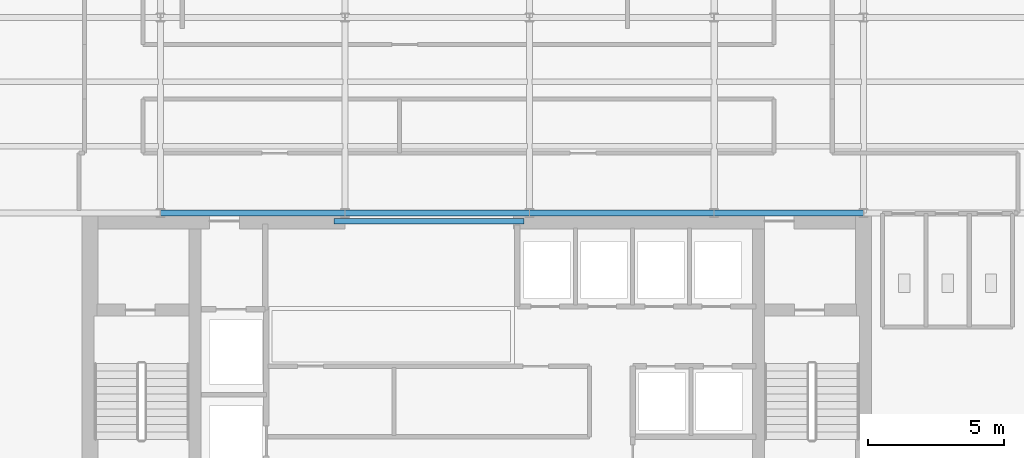
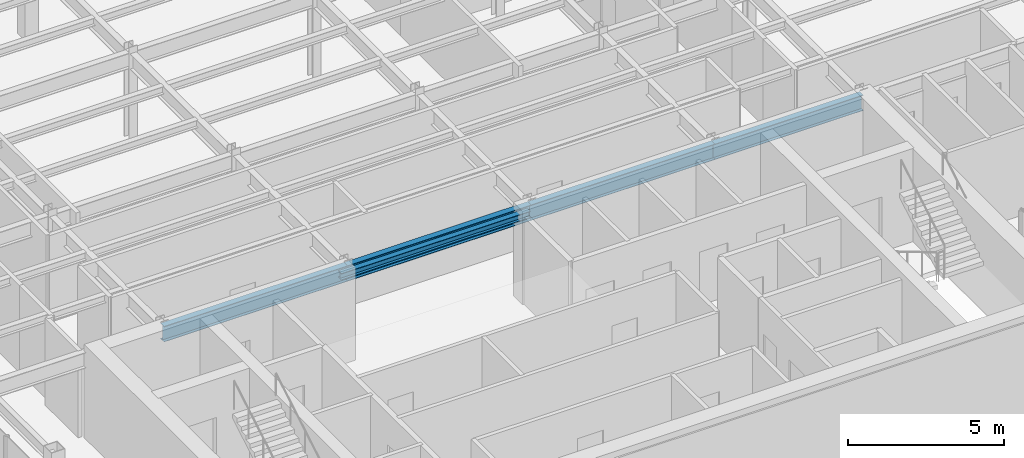
# One storey, part 4 of 22: 5 beams.
"""IFC4 building model written with IfcOpenShell, lengths in metres."""

from ifc_helpers import new_model, si_unit, derived_unit, direction, frame, origin, origin_2d, place, context, subcontext, project, spatial, i_section, extrude, source, transform, mapped, material, material_profile, profile_set, type_object, element, save


model = new_model("IFC4")

# Units and contexts
model_context = context("Model", 3, precision=1e-05, world=origin(), true_north=direction((0.0, 1.0)))
body_context = subcontext(model_context, "Body", "Model", "MODEL_VIEW")
ifc_project = project(units=[si_unit("LENGTHUNIT", "METRE"), si_unit("AREAUNIT", "SQUARE_METRE"), si_unit("VOLUMEUNIT", "CUBIC_METRE"), si_unit("PLANEANGLEUNIT", "RADIAN"), si_unit("MASSUNIT", "GRAM", prefix="KILO"), derived_unit("THERMALTRANSMITTANCEUNIT", [(si_unit("POWERUNIT", "WATT"), 1), (si_unit("LENGTHUNIT", "METRE"), -2), (si_unit("THERMODYNAMICTEMPERATUREUNIT", "KELVIN"), -1)])], contexts=[model_context])

# Site, building, storey
site_placement = place(None, origin())
site = spatial("IfcSite", under=ifc_project, at=site_placement, CompositionType="ELEMENT")
building_placement = place(site_placement, origin())
building = spatial("IfcBuilding", under=site, at=building_placement, Name="Skarnbrae Concourse Arena and Tower", CompositionType="ELEMENT")
storey_placement = place(building_placement, frame((0.0, 0.0, 262.449951171875)))
storey = spatial("IfcBuildingStorey", under=building, at=storey_placement, Name="L68", CompositionType="ELEMENT", Elevation=262.449951171875)

# Beams
ifc_material = material(Name="Steel CSA G40.21 350W", Category="steel")
ifc_material_profile_1 = material_profile(ifc_material, i_section(OverallWidth=0.202880859375, OverallDepth=0.251953125, WebThickness=0.008056640625, FlangeThickness=0.013427734375, at=origin_2d()), Name="W250X58")
ifc_profile_set_1 = profile_set([ifc_material_profile_1], Name="Steel CSA G40.21 350W")
beam_type_1 = type_object("IfcBeamType", Name="BM-LINTEL-W250X58", PredefinedType="LINTEL", material=ifc_profile_set_1)
shared_shape_1 = source(origin(), body_context, "Body", "SweptSolid", [
    extrude(i_section(OverallWidth=0.202880859375, OverallDepth=0.251953125, WebThickness=0.008056640625, FlangeThickness=0.013427734375, at=origin_2d()), origin(), (0.0, 0.0, 1.0), 7.0),
])
beam_1_placement = place(storey_placement, frame((14.0, 13.699951171875, 3.274169921875), z_axis=(1.0, 0.0, 0.0), x_axis=(0.0, 1.0, 0.0)))
element("IfcBeam", 1, at=beam_1_placement, inside=storey, type_object=beam_type_1, Name="L68 Core portal coupling lintel", PredefinedType="LINTEL", context=body_context, shape_type="MappedRepresentation", body=[
    mapped(shared_shape_1, transform((0.0, 0.0, 0.0))),
])
ifc_material_profile_2 = material_profile(ifc_material, i_section(OverallWidth=0.22802734375, OverallDepth=0.60791015625, WebThickness=0.01123046875, FlangeThickness=0.017333984375, at=origin_2d()), Name="W610X113")
ifc_profile_set_2 = profile_set([ifc_material_profile_2], Name="Steel CSA G40.21 350W")
beam_type_2 = type_object("IfcBeamType", Name="BM-GIRD-W610X113", PredefinedType="BEAM", material=ifc_profile_set_2)
shared_shape_2 = source(origin(), body_context, "Body", "SweptSolid", [
    extrude(i_section(OverallWidth=0.22802734375, OverallDepth=0.60791015625, WebThickness=0.01123046875, FlangeThickness=0.017333984375, at=origin_2d()), origin(), (0.0, 0.0, 1.0), 6.7998046875),
])
beam_2_placement = place(storey_placement, frame((7.60009765625, 14.0, 3.095947265625), z_axis=(1.0, 0.0, 0.0), x_axis=(0.0, 1.0, 0.0)))
element("IfcBeam", 2, at=beam_2_placement, inside=storey, type_object=beam_type_2, Name="L68 Primary E-W girder Y14.0-2", PredefinedType="BEAM", context=body_context, shape_type="MappedRepresentation", body=[
    mapped(shared_shape_2, transform((0.0, 0.0, 0.0))),
])
shared_shape_3 = source(origin(), body_context, "Body", "SweptSolid", [
    extrude(i_section(OverallWidth=0.22802734375, OverallDepth=0.60791015625, WebThickness=0.01123046875, FlangeThickness=0.017333984375, at=origin_2d()), origin(), (0.0, 0.0, 1.0), 6.800048828125),
])
for number, where, z_axis, x_axis, name in (
    (3, (14.39990234375, 14.0, 3.095947265625), (1.0, 0.0, 0.0), (0.0, 1.0, 0.0), "L68 Primary E-W girder Y14.0-3"),
    (4, (21.199951171875, 14.0, 3.095947265625), (1.0, 0.0, 0.0), (0.0, 1.0, 0.0), "L68 Primary E-W girder Y14.0-4"),
):
    element("IfcBeam", number, at=place(storey_placement, frame(where, z_axis=z_axis, x_axis=x_axis)), inside=storey, type_object=beam_type_2, Name=name, PredefinedType="BEAM", context=body_context, shape_type="MappedRepresentation", body=[
        mapped(shared_shape_3, transform((0.0, 0.0, 0.0))),
    ])
shared_shape_4 = source(origin(), body_context, "Body", "SweptSolid", [
    extrude(i_section(OverallWidth=0.22802734375, OverallDepth=0.60791015625, WebThickness=0.01123046875, FlangeThickness=0.017333984375, at=origin_2d()), origin(), (0.0, 0.0, 1.0), 5.5),
])
beam_3_placement = place(storey_placement, frame((28.0, 14.0, 3.095947265625), z_axis=(1.0, 0.0, 0.0), x_axis=(0.0, 1.0, 0.0)))
element("IfcBeam", 5, at=beam_3_placement, inside=storey, type_object=beam_type_2, Name="L68 Primary E-W girder Y14.0-5", PredefinedType="BEAM", context=body_context, shape_type="MappedRepresentation", body=[
    mapped(shared_shape_4, transform((0.0, 0.0, 0.0))),
])

save(model, "model.ifc")
